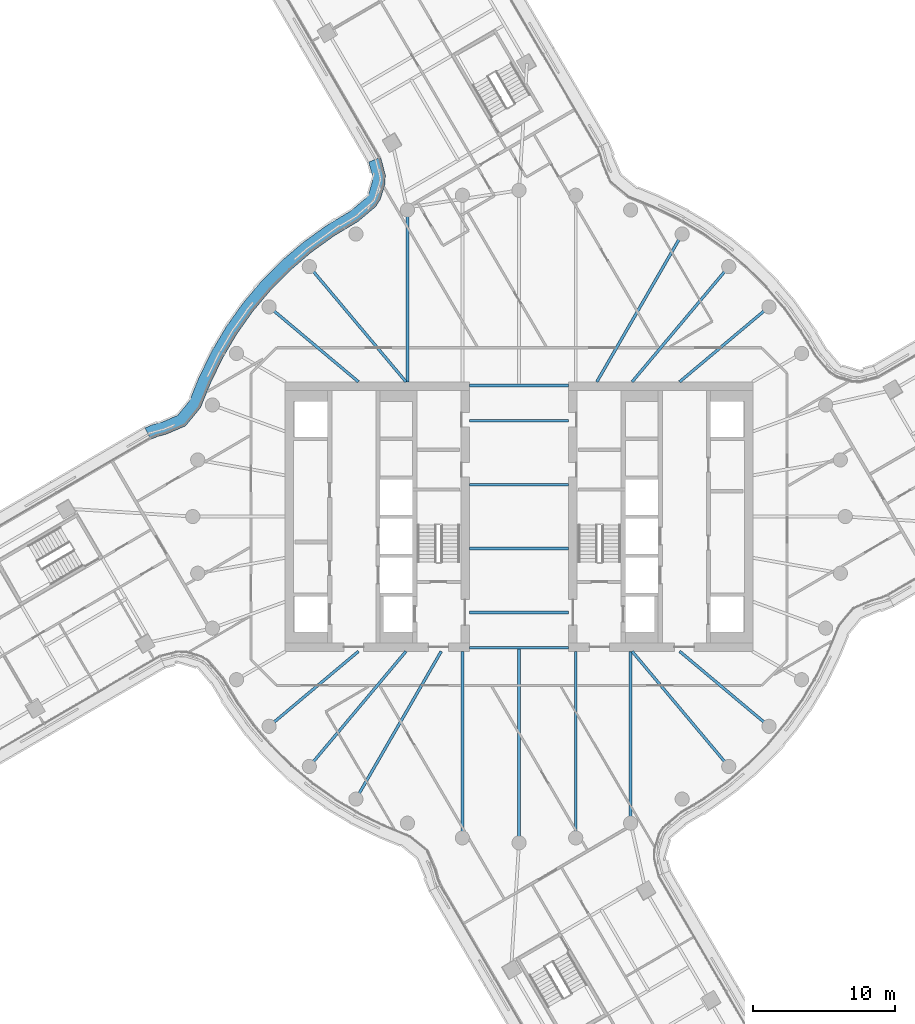
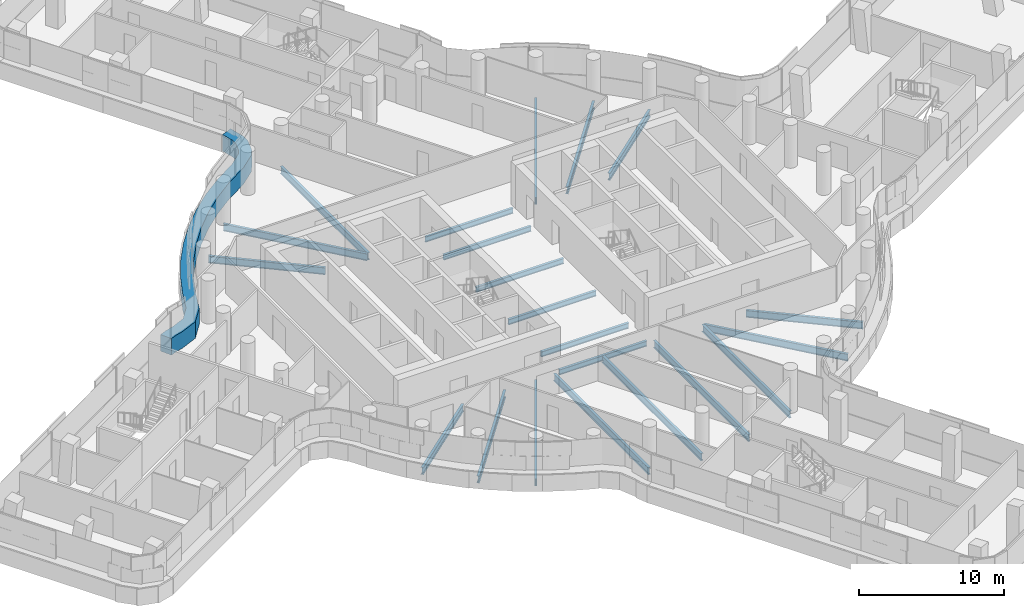
# One storey, part 9 of 35: 21 beams, 1 member, 1 element without a shape of its own.
"""IFC4 building model written with IfcOpenShell, lengths in metres."""

from ifc_helpers import new_model, si_unit, direction, frame, origin, origin_2d, place, context, subcontext, project, spatial, polyline, i_section, outline, extrude, material, layer, layer_set, material_profile, profile_set, type_object, element, aggregate, save


model = new_model("IFC4")

# Units and contexts
model_context = context("Model", 3, precision=1e-05, world=origin(), true_north=direction((0.0, 1.0)))
body_context = subcontext(model_context, "Body", "Model", "MODEL_VIEW")
ifc_project = project(units=[si_unit("LENGTHUNIT", "METRE"), si_unit("AREAUNIT", "SQUARE_METRE"), si_unit("VOLUMEUNIT", "CUBIC_METRE"), si_unit("PLANEANGLEUNIT", "RADIAN"), si_unit("MASSUNIT", "GRAM", prefix="KILO")], contexts=[model_context])

# Site, building, storey
site_placement = place(None, origin())
site = spatial("IfcSite", under=ifc_project, at=site_placement, CompositionType="ELEMENT")
building_placement = place(site_placement, origin())
building = spatial("IfcBuilding", under=site, at=building_placement, Name="Tamarind Cross Interchange Tower", CompositionType="ELEMENT")
storey_placement = place(building_placement, frame((0.0, 0.0, 144.25)))
storey = spatial("IfcBuildingStorey", under=building, at=storey_placement, Name="L35", CompositionType="ELEMENT", Elevation=144.25)

# Beams
ifc_material_1 = material(Name="Steel Q355B", Category="steel")
ifc_material_profile_1 = material_profile(ifc_material_1, i_section(OverallWidth=0.198974609375, OverallDepth=0.446044921875, WebThickness=0.008056640625, FlangeThickness=0.011962890625, FilletRadius=0.012939453125, at=origin_2d()), Name="HN 446x199x8x12")
ifc_profile_set_1 = profile_set([ifc_material_profile_1], Name="Steel Q355B")
beam_type_1 = type_object("IfcBeamType", Name="Composite beam HN 446x199x8x12 Q355B", PredefinedType="BEAM", material=ifc_profile_set_1)
for number, where, z_axis, x_axis, name in (
    (1, (-3.5, -2.25, -0.363037109375), (1.0, 0.0, 0.0), (0.0, 1.0, 0.0), "Beam G-2.25"),
    (2, (-3.5, -6.75, -0.363037109375), (1.0, 0.0, 0.0), (0.0, 1.0, 0.0), "Beam G-6.75"),
    (3, (-3.5, -9.25, -0.363037109375), (1.0, 0.0, 0.0), (0.0, 1.0, 0.0), "Beam G-9.25"),
    (4, (-3.5, 2.25, -0.363037109375), (1.0, 0.0, 0.0), (0.0, 1.0, 0.0), "Beam G2.25"),
    (5, (-3.5, 6.75, -0.363037109375), (1.0, 0.0, 0.0), (0.0, 1.0, 0.0), "Beam G6.75"),
    (6, (-3.5, 9.25, -0.363037109375), (1.0, 0.0, 0.0), (0.0, 1.0, 0.0), "Beam G9.25"),
):
    element("IfcBeam", number, at=place(storey_placement, frame(where, z_axis=z_axis, x_axis=x_axis)), inside=storey, type_object=beam_type_1, Name=name, PredefinedType="BEAM", context=body_context, shape_type="SweptSolid", body=[
        extrude(i_section(OverallWidth=0.198974609375, OverallDepth=0.446044921875, WebThickness=0.008056640625, FlangeThickness=0.011962890625, FilletRadius=0.012939453125, at=origin_2d()), origin(), (0.0, 0.0, 1.0), 7.0),
    ])
ifc_material_profile_2 = material_profile(ifc_material_1, i_section(OverallWidth=0.198974609375, OverallDepth=0.595947265625, WebThickness=0.010009765625, FlangeThickness=0.014892578125, FilletRadius=0.012939453125, at=origin_2d()), Name="HN 596x199x10x15")
ifc_profile_set_2 = profile_set([ifc_material_profile_2], Name="Steel Q355B")
beam_type_2 = type_object("IfcBeamType", Name="Composite beam HN 596x199x10x15 Q355B", PredefinedType="BEAM", material=ifc_profile_set_2)
beam_1_placement = place(storey_placement, frame((17.619140625, 14.7841796875, -0.43798828125), z_axis=(-0.766040580814, -0.642792212574, 0.0), x_axis=(0.642792212574, -0.766040580814, 0.0)))
element("IfcBeam", 7, at=beam_1_placement, inside=storey, type_object=beam_type_2, Name="Beam HH04", PredefinedType="BEAM", context=body_context, shape_type="SweptSolid", body=[
    extrude(i_section(OverallWidth=0.198974609375, OverallDepth=0.595947265625, WebThickness=0.010009765625, FlangeThickness=0.014892578125, FilletRadius=0.012939453125, at=origin_2d()), origin(), (0.0, 0.0, 1.0), 8.220703125),
])
beam_2_placement = place(storey_placement, frame((14.7841796875, 17.619140625, -0.43798828125), z_axis=(-0.642786293979, -0.766045547127, 0.0), x_axis=(0.766045547127, -0.642786293979, 0.0)))
element("IfcBeam", 8, at=beam_2_placement, inside=storey, type_object=beam_type_2, Name="Beam HH05", PredefinedType="BEAM", context=body_context, shape_type="SweptSolid", body=[
    extrude(i_section(OverallWidth=0.198974609375, OverallDepth=0.595947265625, WebThickness=0.010009765625, FlangeThickness=0.014892578125, FilletRadius=0.012939453125, at=origin_2d()), origin(), (0.0, 0.0, 1.0), 10.598876953125),
])
beam_3_placement = place(storey_placement, frame((11.5, 19.918701171875, -0.43798828125), z_axis=(-0.499993565836, -0.866029118519, 0.0), x_axis=(0.866029118519, -0.499993565836, 0.0)))
element("IfcBeam", 9, at=beam_3_placement, inside=storey, type_object=beam_type_2, Name="Beam HH06", PredefinedType="BEAM", context=body_context, shape_type="SweptSolid", body=[
    extrude(i_section(OverallWidth=0.198974609375, OverallDepth=0.595947265625, WebThickness=0.010009765625, FlangeThickness=0.014892578125, FilletRadius=0.012939453125, at=origin_2d()), origin(), (0.0, 0.0, 1.0), 12.030517578125),
])
beam_4_placement = place(storey_placement, frame((-7.866455078125, 21.613037109375, -0.43798828125), z_axis=(0.0, -1.0, 0.0), x_axis=(1.0, 0.0, 0.0)))
element("IfcBeam", 10, at=beam_4_placement, inside=storey, type_object=beam_type_2, Name="Beam HH11", PredefinedType="BEAM", context=body_context, shape_type="SweptSolid", body=[
    extrude(i_section(OverallWidth=0.198974609375, OverallDepth=0.595947265625, WebThickness=0.010009765625, FlangeThickness=0.014892578125, FilletRadius=0.012939453125, at=origin_2d()), origin(), (0.0, 0.0, 1.0), 12.113037109375),
])
beam_5_placement = place(storey_placement, frame((-14.7841796875, 17.619140625, -0.43798828125), z_axis=(0.642786293979, -0.766045547127, 0.0), x_axis=(0.766045547127, 0.642786293979, 0.0)))
element("IfcBeam", 11, at=beam_5_placement, inside=storey, type_object=beam_type_2, Name="Beam HH13", PredefinedType="BEAM", context=body_context, shape_type="SweptSolid", body=[
    extrude(i_section(OverallWidth=0.198974609375, OverallDepth=0.595947265625, WebThickness=0.010009765625, FlangeThickness=0.014892578125, FilletRadius=0.012939453125, at=origin_2d()), origin(), (0.0, 0.0, 1.0), 10.598876953125),
])
for number, where, z_axis, x_axis, name in (
    (12, (-17.619140625, 14.7841796875, -0.43798828125), (0.766040580814, -0.642792212574, 0.0), (0.642792212574, 0.766040580814, 0.0), "Beam HH14"),
    (13, (-17.619140625, -14.7841796875, -0.43798828125), (0.766040580814, 0.642792212574, 0.0), (-0.642792212574, 0.766040580814, 0.0), "Beam HH22"),
):
    element("IfcBeam", number, at=place(storey_placement, frame(where, z_axis=z_axis, x_axis=x_axis)), inside=storey, type_object=beam_type_2, Name=name, PredefinedType="BEAM", context=body_context, shape_type="SweptSolid", body=[
        extrude(i_section(OverallWidth=0.198974609375, OverallDepth=0.595947265625, WebThickness=0.010009765625, FlangeThickness=0.014892578125, FilletRadius=0.012939453125, at=origin_2d()), origin(), (0.0, 0.0, 1.0), 8.220703125),
    ])
beam_6_placement = place(storey_placement, frame((-14.7841796875, -17.619140625, -0.43798828125), z_axis=(0.642786293979, 0.766045547127, 0.0), x_axis=(-0.766045547127, 0.642786293979, 0.0)))
element("IfcBeam", 14, at=beam_6_placement, inside=storey, type_object=beam_type_2, Name="Beam HH23", PredefinedType="BEAM", context=body_context, shape_type="SweptSolid", body=[
    extrude(i_section(OverallWidth=0.198974609375, OverallDepth=0.595947265625, WebThickness=0.010009765625, FlangeThickness=0.014892578125, FilletRadius=0.012939453125, at=origin_2d()), origin(), (0.0, 0.0, 1.0), 10.598876953125),
])
beam_7_placement = place(storey_placement, frame((-11.5, -19.918701171875, -0.43798828125), z_axis=(0.499993565836, 0.866029118519, 0.0), x_axis=(-0.866029118519, 0.499993565836, 0.0)))
element("IfcBeam", 15, at=beam_7_placement, inside=storey, type_object=beam_type_2, Name="Beam HH24", PredefinedType="BEAM", context=body_context, shape_type="SweptSolid", body=[
    extrude(i_section(OverallWidth=0.198974609375, OverallDepth=0.595947265625, WebThickness=0.010009765625, FlangeThickness=0.014892578125, FilletRadius=0.012939453125, at=origin_2d()), origin(), (0.0, 0.0, 1.0), 12.030517578125),
])
beam_8_placement = place(storey_placement, frame((-3.993896484375, -22.650634765625, -0.43798828125), z_axis=(0.0, 1.0, 0.0), x_axis=(-1.0, 0.0, 0.0)))
element("IfcBeam", 16, at=beam_8_placement, inside=storey, type_object=beam_type_2, Name="Beam HH26", PredefinedType="BEAM", context=body_context, shape_type="SweptSolid", body=[
    extrude(i_section(OverallWidth=0.198974609375, OverallDepth=0.595947265625, WebThickness=0.010009765625, FlangeThickness=0.014892578125, FilletRadius=0.012939453125, at=origin_2d()), origin(), (0.0, 0.0, 1.0), 13.150634765625),
])
beam_9_placement = place(storey_placement, frame((0.0, -23.0, -0.43798828125), z_axis=(0.0, 1.0, 0.0), x_axis=(-1.0, 0.0, 0.0)))
element("IfcBeam", 17, at=beam_9_placement, inside=storey, type_object=beam_type_2, Name="Beam HH27", PredefinedType="BEAM", context=body_context, shape_type="SweptSolid", body=[
    extrude(i_section(OverallWidth=0.198974609375, OverallDepth=0.595947265625, WebThickness=0.010009765625, FlangeThickness=0.014892578125, FilletRadius=0.012939453125, at=origin_2d()), origin(), (0.0, 0.0, 1.0), 13.75),
])
beam_10_placement = place(storey_placement, frame((3.993896484375, -22.650634765625, -0.43798828125), z_axis=(0.0, 1.0, 0.0), x_axis=(-1.0, 0.0, 0.0)))
element("IfcBeam", 18, at=beam_10_placement, inside=storey, type_object=beam_type_2, Name="Beam HH28", PredefinedType="BEAM", context=body_context, shape_type="SweptSolid", body=[
    extrude(i_section(OverallWidth=0.198974609375, OverallDepth=0.595947265625, WebThickness=0.010009765625, FlangeThickness=0.014892578125, FilletRadius=0.012939453125, at=origin_2d()), origin(), (0.0, 0.0, 1.0), 13.150634765625),
])
beam_11_placement = place(storey_placement, frame((7.866455078125, -21.613037109375, -0.43798828125), z_axis=(0.0, 1.0, 0.0), x_axis=(-1.0, 0.0, 0.0)))
element("IfcBeam", 19, at=beam_11_placement, inside=storey, type_object=beam_type_2, Name="Beam HH29", PredefinedType="BEAM", context=body_context, shape_type="SweptSolid", body=[
    extrude(i_section(OverallWidth=0.198974609375, OverallDepth=0.595947265625, WebThickness=0.010009765625, FlangeThickness=0.014892578125, FilletRadius=0.012939453125, at=origin_2d()), origin(), (0.0, 0.0, 1.0), 12.113037109375),
])
beam_12_placement = place(storey_placement, frame((14.7841796875, -17.619140625, -0.43798828125), z_axis=(-0.642786293979, 0.766045547127, 0.0), x_axis=(-0.766045547127, -0.642786293979, 0.0)))
element("IfcBeam", 20, at=beam_12_placement, inside=storey, type_object=beam_type_2, Name="Beam HH31", PredefinedType="BEAM", context=body_context, shape_type="SweptSolid", body=[
    extrude(i_section(OverallWidth=0.198974609375, OverallDepth=0.595947265625, WebThickness=0.010009765625, FlangeThickness=0.014892578125, FilletRadius=0.012939453125, at=origin_2d()), origin(), (0.0, 0.0, 1.0), 10.598876953125),
])
beam_13_placement = place(storey_placement, frame((17.619140625, -14.7841796875, -0.43798828125), z_axis=(-0.766040580814, 0.642792212574, 0.0), x_axis=(-0.642792212574, -0.766040580814, 0.0)))
element("IfcBeam", 21, at=beam_13_placement, inside=storey, type_object=beam_type_2, Name="Beam HH32", PredefinedType="BEAM", context=body_context, shape_type="SweptSolid", body=[
    extrude(i_section(OverallWidth=0.198974609375, OverallDepth=0.595947265625, WebThickness=0.010009765625, FlangeThickness=0.014892578125, FilletRadius=0.012939453125, at=origin_2d()), origin(), (0.0, 0.0, 1.0), 8.220703125),
])

# Curtain wall, member
ifc_material_2 = material(Name="Aluminium 6063-T6", Category="aluminium")
ifc_layer = layer(ifc_material_2, 0.159912109375)
ifc_layer_set = layer_set([ifc_layer], Name="Aluminium 6063-T6")
curtain_wall_type = type_object("IfcCurtainWallType", Name="Office curtain wall, 9.0 m bays", PredefinedType="NOTDEFINED", material=ifc_layer_set)
curtain_wall_placement = place(storey_placement, origin())
curtain_wall = element("IfcCurtainWall", 22, at=curtain_wall_placement, inside=storey, type_object=curtain_wall_type, Name="CWS-L35-14", PredefinedType="NOTDEFINED")
ifc_material_3 = material(Name="Aluminium and insulated spandrel panel", Category="aluminium")
member_type = type_object("IfcMemberType", Name="Floor-edge blade transom", PredefinedType="USERDEFINED", material=ifc_material_3)
member_placement = place(storey_placement, origin())
member = element("IfcMember", 23, at=member_placement, type_object=member_type, Name="CWT-L35-14", ObjectType="TRANSOM", PredefinedType="USERDEFINED", context=body_context, shape_type="SweptSolid", body=[
    extrude(outline(polyline([(-9.75390625, 25.33837890625), (-9.427978515625, 24.08642578125), (-9.43994140625, 23.47265625), (-9.7744140625, 22.36669921875), (-10.10693359375, 21.84521484375), (-11.34814453125, 20.802734375), (-13.045654296875, 19.78125), (-14.634521484375, 18.636474609375), (-16.12353515625, 17.3642578125), (-17.50244140625, 15.973388671875), (-18.76171875, 14.4736328125), (-19.892822265625, 12.874755859375), (-20.88818359375, 11.188232421875), (-21.741943359375, 9.42236328125), (-22.457275390625, 7.671142578125), (-23.510498046875, 6.39111328125), (-24.8505859375, 5.81298828125), (-25.5205078125, 5.6298828125), (-25.965576171875, 5.44287109375), (-26.36865234375, 6.24951171875), (-25.81494140625, 6.482421875), (-25.14892578125, 6.66455078125), (-24.06689453125, 7.131103515625), (-23.23876953125, 8.1376953125), (-22.564453125, 9.78857421875), (-21.68212890625, 11.613525390625), (-20.64892578125, 13.3642578125), (-19.474853515625, 15.023681640625), (-18.167724609375, 16.580810546875), (-16.736572265625, 18.0244140625), (-15.19091796875, 19.344970703125), (-13.54150390625, 20.533203125), (-11.872802734375, 21.537353515625), (-10.79150390625, 22.445556640625), (-10.599853515625, 22.74609375), (-10.33740234375, 23.6142578125), (-10.330322265625, 23.97998046875), (-10.59375, 24.992431640625), (-9.75390625, 25.33837890625)])), origin(), (0.0, 0.0, 1.0), 1.39990234375),
])
aggregate(curtain_wall, [member])

save(model, "model.ifc")
